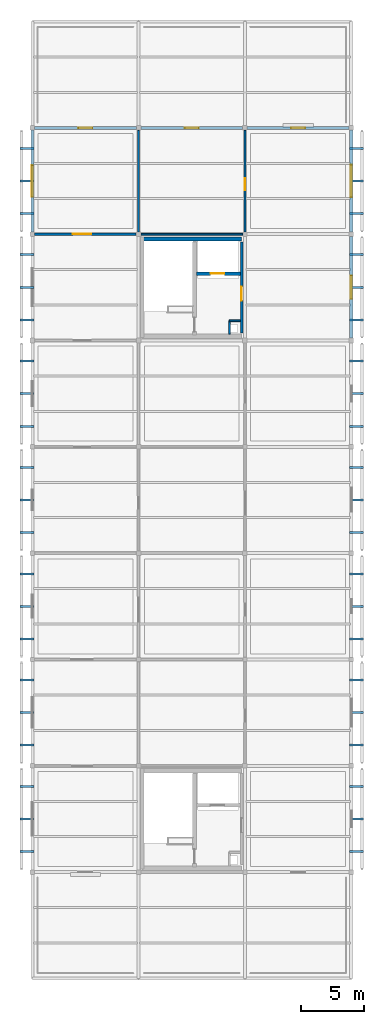
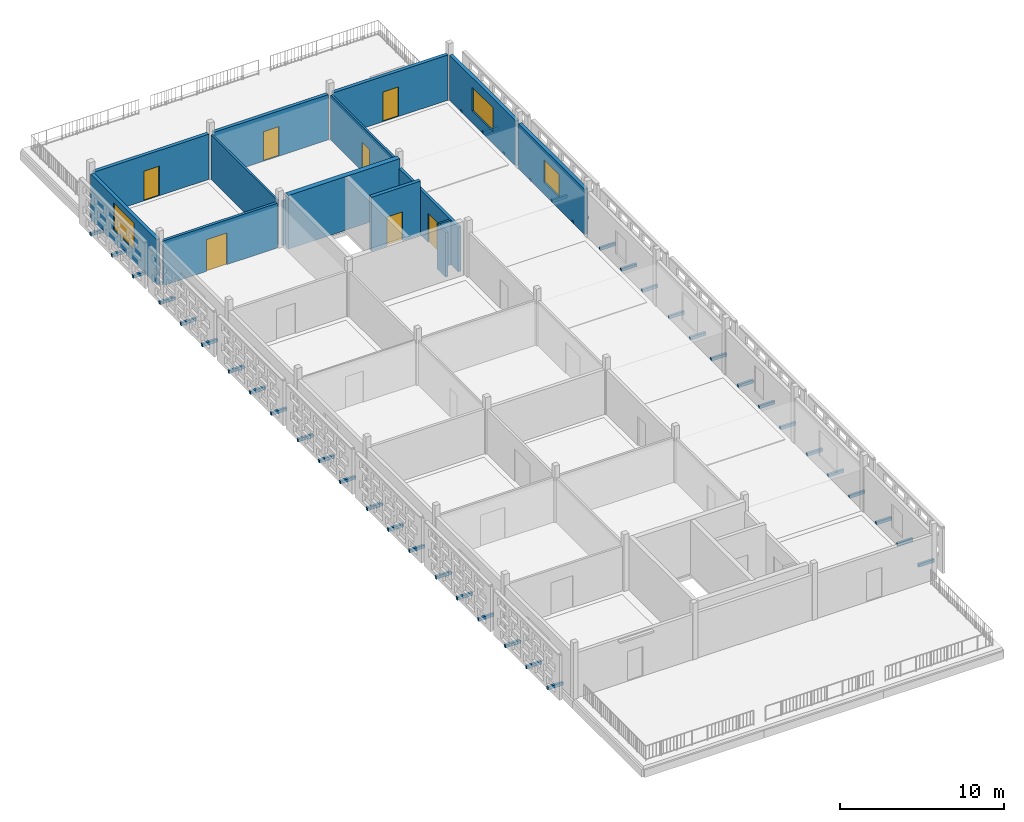
# One storey, part 4 of 13: 42 discrete accessories, 15 walls, 7 doors, 3 windows, 10 openings.
"""IFC4 building model written with IfcOpenShell, lengths in metres."""

from ifc_helpers import new_model, si_unit, direction, frame, frame_2d, origin, origin_2d, place, context, subcontext, project, spatial, rectangle, extrude, material, layer, layer_set, type_object, element, fill, save


model = new_model("IFC4")

# Units and contexts
model_context = context("Model", 3, precision=1e-05, world=origin(), true_north=direction((0.0, 1.0)))
body_context = subcontext(model_context, "Body", "Model", "MODEL_VIEW")
ifc_project = project(units=[si_unit("LENGTHUNIT", "METRE"), si_unit("AREAUNIT", "SQUARE_METRE"), si_unit("VOLUMEUNIT", "CUBIC_METRE"), si_unit("PLANEANGLEUNIT", "RADIAN"), si_unit("MASSUNIT", "GRAM", prefix="KILO")], contexts=[model_context])

# Site, building, storey
site_placement = place(None, origin())
site = spatial("IfcSite", under=ifc_project, at=site_placement, CompositionType="ELEMENT")
building_placement = place(site_placement, origin())
building = spatial("IfcBuilding", under=site, at=building_placement, Name="Varnapada Polytechnic", CompositionType="ELEMENT")
storey_placement = place(building_placement, frame((0.0, 0.0, 26.39990234375)))
storey = spatial("IfcBuildingStorey", under=building, at=storey_placement, Name="L06", CompositionType="ELEMENT", Elevation=26.39990234375)

# Wall, opening, door
ifc_material_1 = material(Name="Autoclaved Aerated Concrete Block AAC-600", Category="concrete")
ifc_layer_1 = layer(ifc_material_1, 0.199951171875)
ifc_layer_set_1 = layer_set([ifc_layer_1], Name="Autoclaved Aerated Concrete Block AAC-600")
wall_type_1 = type_object("IfcWallType", Name="Interior Wall IW-01", PredefinedType="PARTITIONING", material=ifc_layer_set_1)
wall_1_placement = place(storey_placement, frame((16.5400390625, 108.60009765625, 0.0), z_axis=(0.0, 0.0, 1.0), x_axis=(0.0, -1.0, 0.0)))
wall_1 = element("IfcWall", 1, at=wall_1_placement, inside=storey, type_object=wall_type_1, Name="L06 C1 firefighting lobby east wall", PredefinedType="PARTITIONING", context=body_context, shape_type="SweptSolid", body=[
    extrude(rectangle(XDim=7.2001953125, YDim=0.199951171875, at=frame_2d((3.60009765625, 0.0))), origin(), (0.0, 0.0, 1.0), 3.320068359375),
])
opening_1_placement = place(wall_1_placement, frame((3.550048828125, 0.0, 0.0)))
opening_1 = element("IfcOpeningElement", 2, at=opening_1_placement, cuts=wall_1, Name="Opening D-1334", PredefinedType="OPENING", context=body_context, shape_type="SweptSolid", body=[
    extrude(rectangle(XDim=1.10009765625, YDim=2.14990234375, at=frame_2d((0.550048828125, 1.074951171875))), frame((0.0, 0.10986328125, 0.0), z_axis=(0.0, -1.0, 0.0), x_axis=(1.0, 0.0, 0.0)), (0.0, 0.0, 1.0), 0.219970703125),
])
ifc_material_2 = material(Name="Galvanized Steel Z275", Category="steel")
door_type_1 = type_object("IfcDoorType", Name="Interior Door ID-01", OperationType="NOTDEFINED", PredefinedType="DOOR", material=ifc_material_2)
door_1_placement = place(opening_1_placement, frame((1.10009765625, 0.0, 0.0), z_axis=(0.0, 0.0, 1.0), x_axis=(-1.0, 0.0, 0.0)))
door_1 = element("IfcDoor", 3, at=door_1_placement, inside=storey, type_object=door_type_1, Name="L06 C1 lobby fire door D-1334", OperationType="SINGLE_SWING_RIGHT", OverallHeight=2.14990234375, OverallWidth=1.10009765625, PredefinedType="DOOR", context=body_context, shape_type="SweptSolid", body=[
    extrude(rectangle(XDim=1.10009765625, YDim=2.14990234375, at=frame_2d((0.550048828125, 1.074951171875))), frame((0.0, 0.02490234375, 0.0), z_axis=(0.0, -1.0, 0.0), x_axis=(1.0, 0.0, 0.0)), (0.0, 0.0, 1.0), 0.050048828125),
])
fill(opening_1, door_1)

# Walls
ifc_layer_2 = layer(ifc_material_1, 0.14990234375)
ifc_layer_set_2 = layer_set([ifc_layer_2], Name="Autoclaved Aerated Concrete Block AAC-600")
wall_type_2 = type_object("IfcWallType", Name="Interior Wall IW-02", PredefinedType="PARTITIONING", material=ifc_layer_set_2)
wall_2_placement = place(storey_placement, frame((15.580078125, 102.360107421875, 0.0), z_axis=(0.0, 0.0, 1.0), x_axis=(0.0, -1.0, 0.0)))
element("IfcWall", 4, at=wall_2_placement, inside=storey, type_object=wall_type_2, Name="L06 C1 riser shaft west wall", PredefinedType="PARTITIONING", context=body_context, shape_type="SweptSolid", body=[
    extrude(rectangle(XDim=1.06005859375, YDim=0.14990234375, at=frame_2d((0.530029296875, 0.0))), origin(), (0.0, 0.0, 1.0), 3.320068359375),
])
wall_3_placement = place(storey_placement, frame((15.580078125, 102.360107421875, 0.0), z_axis=(0.0, 0.0, 1.0), x_axis=(1.0, 0.0, 0.0)))
element("IfcWall", 5, at=wall_3_placement, inside=storey, type_object=wall_type_2, Name="L06 C1 riser shaft north wall", PredefinedType="PARTITIONING", context=body_context, shape_type="SweptSolid", body=[
    extrude(rectangle(XDim=0.85986328125, YDim=0.14990234375, at=frame_2d((0.429931640625, 0.0))), origin(), (0.0, 0.0, 1.0), 3.320068359375),
])
ifc_material_3 = material(Name="Moisture-Resistant Cement Board Partition")
ifc_layer_3 = layer(ifc_material_3, 0.139892578125)
ifc_layer_set_3 = layer_set([ifc_layer_3], Name="Moisture-Resistant Cement Board Partition")
wall_type_3 = type_object("IfcWallType", Name="Interior Wall IW-04", PredefinedType="PARTITIONING", material=ifc_layer_set_3)
wall_4_placement = place(storey_placement, frame((8.39990234375, 109.389892578125, 0.0), z_axis=(0.0, 0.0, 1.0), x_axis=(0.0, 1.0, 0.0)))
element("IfcWall", 6, at=wall_4_placement, inside=storey, type_object=wall_type_3, Name="L06 interior partition IW-L06-00-13-V", PredefinedType="PARTITIONING", context=body_context, shape_type="SweptSolid", body=[
    extrude(rectangle(XDim=8.010009765625, YDim=0.139892578125, at=frame_2d((4.0048828125, 0.0))), origin(), (0.0, 0.0, 1.0), 3.320068359375),
])
wall_5_placement = place(storey_placement, frame((8.590087890625, 109.199951171875, 0.0), z_axis=(0.0, 0.0, 1.0), x_axis=(1.0, 0.0, 0.0)))
element("IfcWall", 7, at=wall_5_placement, inside=storey, type_object=wall_type_3, Name="L06 interior partition IW-L06-01-12-H", PredefinedType="PARTITIONING", context=body_context, shape_type="SweptSolid", body=[
    extrude(rectangle(XDim=8.02001953125, YDim=0.139892578125, at=frame_2d((4.010009765625, 0.0))), origin(), (0.0, 0.0, 1.0), 3.320068359375),
])

# Wall, opening, door
wall_6_placement = place(storey_placement, frame((16.800048828125, 109.389892578125, 0.0), z_axis=(0.0, 0.0, 1.0), x_axis=(0.0, 1.0, 0.0)))
wall_6 = element("IfcWall", 8, at=wall_6_placement, inside=storey, type_object=wall_type_3, Name="L06 interior partition IW-L06-01-13-V", PredefinedType="PARTITIONING", context=body_context, shape_type="SweptSolid", body=[
    extrude(rectangle(XDim=8.010009765625, YDim=0.139892578125, at=frame_2d((4.0048828125, 0.0))), origin(), (0.0, 0.0, 1.0), 3.320068359375),
])
opening_2_placement = place(wall_6_placement, frame((3.27490234375, 0.0, 0.0)))
opening_2 = element("IfcOpeningElement", 9, at=opening_2_placement, cuts=wall_6, Name="Opening D-1347", PredefinedType="OPENING", context=body_context, shape_type="SweptSolid", body=[
    extrude(rectangle(XDim=0.949951171875, YDim=2.14990234375, at=frame_2d((0.47509765625, 1.074951171875))), frame((0.0, 0.079833984375, 0.0), z_axis=(0.0, -1.0, 0.0), x_axis=(1.0, 0.0, 0.0)), (0.0, 0.0, 1.0), 0.159912109375),
])
ifc_material_4 = material(Name="Moisture-Resistant HPL Timber", Category="wood")
door_type_2 = type_object("IfcDoorType", Name="Interior Door ID-03", OperationType="NOTDEFINED", PredefinedType="DOOR", material=ifc_material_4)
door_2_placement = place(opening_2_placement, origin())
door_2 = element("IfcDoor", 10, at=door_2_placement, inside=storey, type_object=door_type_2, Name="L06 interior room door D-1347", OperationType="SINGLE_SWING_RIGHT", OverallHeight=2.14990234375, OverallWidth=0.949951171875, PredefinedType="DOOR", context=body_context, shape_type="SweptSolid", body=[
    extrude(rectangle(XDim=0.949951171875, YDim=2.14990234375, at=frame_2d((0.47509765625, 1.074951171875))), frame((0.0, 0.02490234375, 0.0), z_axis=(0.0, -1.0, 0.0), x_axis=(1.0, 0.0, 0.0)), (0.0, 0.0, 1.0), 0.050048828125),
])
fill(opening_2, door_2)

ifc_material_5 = material(Name="Insulated Masonry Plant Room Wall", Category="masonry")
ifc_layer_4 = layer(ifc_material_5, 0.18994140625)
ifc_layer_set_4 = layer_set([ifc_layer_4], Name="Insulated Masonry Plant Room Wall")
wall_type_4 = type_object("IfcWallType", Name="Interior Wall IW-11", PredefinedType="PARTITIONING", material=ifc_layer_set_4)
wall_7_placement = place(storey_placement, frame((0.18994140625, 109.199951171875, 0.0), z_axis=(0.0, 0.0, 1.0), x_axis=(1.0, 0.0, 0.0)))
wall_7 = element("IfcWall", 11, at=wall_7_placement, inside=storey, type_object=wall_type_4, Name="L06 interior partition IW-L06-00-12-H", PredefinedType="PARTITIONING", context=body_context, shape_type="SweptSolid", body=[
    extrude(rectangle(XDim=8.02001953125, YDim=0.18994140625, at=frame_2d((4.010009765625, 0.0))), origin(), (0.0, 0.0, 1.0), 3.320068359375),
])
opening_3_placement = place(wall_7_placement, frame((3.02490234375, 0.0, 0.0)))
opening_3 = element("IfcOpeningElement", 12, at=opening_3_placement, cuts=wall_7, Name="Opening D-1342", PredefinedType="OPENING", context=body_context, shape_type="SweptSolid", body=[
    extrude(rectangle(XDim=1.449951171875, YDim=2.35009765625, at=frame_2d((0.72509765625, 1.175048828125))), frame((0.0, 0.10498046875, 0.0), z_axis=(0.0, -1.0, 0.0), x_axis=(1.0, 0.0, 0.0)), (0.0, 0.0, 1.0), 0.2099609375),
])
door_type_3 = type_object("IfcDoorType", Name="Interior Door ID-18", OperationType="NOTDEFINED", PredefinedType="DOOR", material=ifc_material_2)
door_3_placement = place(opening_3_placement, origin())
door_3 = element("IfcDoor", 13, at=door_3_placement, inside=storey, type_object=door_type_3, Name="L06 interior room door D-1342", OperationType="SINGLE_SWING_LEFT", OverallHeight=2.35009765625, OverallWidth=1.449951171875, PredefinedType="DOOR", context=body_context, shape_type="SweptSolid", body=[
    extrude(rectangle(XDim=1.449951171875, YDim=2.35009765625, at=frame_2d((0.72509765625, 1.175048828125))), frame((0.0, 0.02490234375, 0.0), z_axis=(0.0, -1.0, 0.0), x_axis=(1.0, 0.0, 0.0)), (0.0, 0.0, 1.0), 0.050048828125),
])
fill(opening_3, door_3)

# Wall
ifc_material_6 = material(Name="Concrete C40/50", Category="concrete")
ifc_layer_5 = layer(ifc_material_6, 0.35009765625)
ifc_layer_set_5 = layer_set([ifc_layer_5], Name="Concrete C40/50")
wall_type_5 = type_object("IfcWallType", Name="Interior Wall SW-01", PredefinedType="SHEAR", material=ifc_layer_set_5)
wall_8_placement = place(storey_placement, frame((8.699951171875, 108.820068359375, 0.0), z_axis=(0.0, 0.0, 1.0), x_axis=(1.0, 0.0, 0.0)))
element("IfcWall", 14, at=wall_8_placement, inside=storey, type_object=wall_type_5, Name="L06 C1 core north shear wall", PredefinedType="SHEAR", context=body_context, shape_type="SweptSolid", body=[
    extrude(rectangle(XDim=7.840087890625, YDim=0.35009765625, at=frame_2d((3.919921875, 0.0))), origin(), (0.0, 0.0, 1.0), 3.989990234375),
])

# Wall, opening, door
ifc_layer_6 = layer(ifc_material_6, 0.25)
ifc_layer_set_6 = layer_set([ifc_layer_6], Name="Concrete C40/50")
wall_type_6 = type_object("IfcWallType", Name="Interior Wall SW-05", PredefinedType="SHEAR", material=ifc_layer_set_6)
wall_9_placement = place(storey_placement, frame((12.97998046875, 106.080078125, 0.0), z_axis=(0.0, 0.0, 1.0), x_axis=(1.0, 0.0, 0.0)))
wall_9 = element("IfcWall", 15, at=wall_9_placement, inside=storey, type_object=wall_type_6, Name="L06 C1 lift shaft front wall", PredefinedType="SHEAR", context=body_context, shape_type="SweptSolid", body=[
    extrude(rectangle(XDim=3.4599609375, YDim=0.25, at=frame_2d((1.72998046875, 0.0))), origin(), (0.0, 0.0, 1.0), 3.989990234375),
])
opening_4_placement = place(wall_9_placement, frame((1.10009765625, 0.0, 0.0)))
opening_4 = element("IfcOpeningElement", 16, at=opening_4_placement, cuts=wall_9, Name="Opening LD-037", PredefinedType="OPENING", context=body_context, shape_type="SweptSolid", body=[
    extrude(rectangle(XDim=1.10009765625, YDim=2.14990234375, at=frame_2d((0.550048828125, 1.074951171875))), frame((0.0, 0.135009765625, 0.0), z_axis=(0.0, -1.0, 0.0), x_axis=(1.0, 0.0, 0.0)), (0.0, 0.0, 1.0), 0.27001953125),
])
ifc_material_7 = material(Name="Brushed Stainless Steel 316", Category="steel")
door_type_4 = type_object("IfcDoorType", Name="Interior Door LD-01", OperationType="NOTDEFINED", PredefinedType="DOOR", material=ifc_material_7)
door_4_placement = place(opening_4_placement, origin())
door_4 = element("IfcDoor", 17, at=door_4_placement, inside=storey, type_object=door_type_4, Name="L06 LFT-01 sliding lift landing door LD-037", OperationType="DOUBLE_DOOR_SLIDING", OverallHeight=2.14990234375, OverallWidth=1.10009765625, PredefinedType="DOOR", context=body_context, shape_type="SweptSolid", body=[
    extrude(rectangle(XDim=1.10009765625, YDim=2.14990234375, at=frame_2d((0.550048828125, 1.074951171875))), frame((0.0, 0.02490234375, 0.0), z_axis=(0.0, -1.0, 0.0), x_axis=(1.0, 0.0, 0.0)), (0.0, 0.0, 1.0), 0.050048828125),
])
fill(opening_4, door_4)

ifc_material_8 = material(Name="Precast concrete C40/50", Category="concrete")
ifc_layer_7 = layer(ifc_material_8, 0.239990234375)
ifc_layer_set_7 = layer_set([ifc_layer_7], Name="Precast concrete C40/50")
wall_type_7 = type_object("IfcWallType", Name="Wall EW-06", PredefinedType="SOLIDWALL", material=ifc_layer_set_7)
wall_10_placement = place(storey_placement, frame((0.179931640625, 117.60009765625, 0.0), z_axis=(0.0, 0.0, 1.0), x_axis=(1.0, 0.0, 0.0)))
wall_10 = element("IfcWall", 18, at=wall_10_placement, inside=storey, type_object=wall_type_7, Name="L06 exterior wall EW-06 (8)", PredefinedType="SOLIDWALL", context=body_context, shape_type="SweptSolid", body=[
    extrude(rectangle(XDim=8.0400390625, YDim=0.239990234375, at=frame_2d((4.02001953125, 0.0))), origin(), (0.0, 0.0, 1.0), 3.360107421875),
])
opening_5_placement = place(wall_10_placement, frame((3.469970703125, 0.0, 0.0)))
opening_5 = element("IfcOpeningElement", 19, at=opening_5_placement, cuts=wall_10, Name="Opening D-061", PredefinedType="OPENING", context=body_context, shape_type="SweptSolid", body=[
    extrude(rectangle(XDim=1.10009765625, YDim=2.199951171875, at=frame_2d((0.550048828125, 1.10009765625))), frame((0.0, 0.1298828125, 0.0), z_axis=(0.0, -1.0, 0.0), x_axis=(1.0, 0.0, 0.0)), (0.0, 0.0, 1.0), 0.260009765625),
])
ifc_material_9 = material(Name="Anodised aluminium and laminated glass", Category="aluminium")
door_type_5 = type_object("IfcDoorType", Name="Exterior Door ED-03", OperationType="NOTDEFINED", PredefinedType="DOOR", material=ifc_material_9)
door_5_placement = place(opening_5_placement, origin())
door_5 = element("IfcDoor", 20, at=door_5_placement, inside=storey, type_object=door_type_5, Name="L06 roof terrace access door D-061", OperationType="SINGLE_SWING_LEFT", OverallHeight=2.199951171875, OverallWidth=1.10009765625, PredefinedType="DOOR", context=body_context, shape_type="SweptSolid", body=[
    extrude(rectangle(XDim=1.10009765625, YDim=2.199951171875, at=frame_2d((0.550048828125, 1.10009765625))), frame((0.0, 0.02490234375, 0.0), z_axis=(0.0, -1.0, 0.0), x_axis=(1.0, 0.0, 0.0)), (0.0, 0.0, 1.0), 0.050048828125),
])
fill(opening_5, door_5)

# Wall, opening, window
wall_11_placement = place(storey_placement, frame((0.0, 109.3701171875, 0.0), z_axis=(0.0, 0.0, 1.0), x_axis=(0.0, 1.0, 0.0)))
wall_11 = element("IfcWall", 21, at=wall_11_placement, inside=storey, type_object=wall_type_7, Name="L06 exterior wall EW-06 (9)", PredefinedType="SOLIDWALL", context=body_context, shape_type="SweptSolid", body=[
    extrude(rectangle(XDim=8.0498046875, YDim=0.239990234375, at=frame_2d((4.02490234375, 0.0))), origin(), (0.0, 0.0, 1.0), 3.360107421875),
])
opening_6_placement = place(wall_11_placement, frame((2.77490234375, 0.0, 0.89990234375)))
opening_6 = element("IfcOpeningElement", 22, at=opening_6_placement, cuts=wall_11, Name="Opening WN-17", PredefinedType="OPENING", context=body_context, shape_type="SweptSolid", body=[
    extrude(rectangle(XDim=2.5, YDim=2.0, at=frame_2d((1.25, 1.0))), frame((0.0, 0.1298828125, 0.0), z_axis=(0.0, -1.0, 0.0), x_axis=(1.0, 0.0, 0.0)), (0.0, 0.0, 1.0), 0.260009765625),
])
ifc_material_10 = material(Name="Double low-E laminated glass", Category="glass")
window_type_1 = type_object("IfcWindowType", Name="Window WN-17", PartitioningType="SINGLE_PANEL", PredefinedType="WINDOW", material=ifc_material_10)
window_1_placement = place(opening_6_placement, origin())
window_1 = element("IfcWindow", 23, at=window_1_placement, inside=storey, type_object=window_type_1, Name="L06 window WN-17 (254)", OverallHeight=2.0, OverallWidth=2.5, PartitioningType="SINGLE_PANEL", PredefinedType="WINDOW", context=body_context, shape_type="SweptSolid", body=[
    extrude(rectangle(XDim=2.5, YDim=2.0, at=frame_2d((1.25, 1.0))), frame((0.0, 0.030029296875, 0.0), z_axis=(0.0, -1.0, 0.0), x_axis=(1.0, 0.0, 0.0)), (0.0, 0.0, 1.0), 0.06005859375),
])
fill(opening_6, window_1)

# Wall, opening, door
wall_12_placement = place(storey_placement, frame((8.580078125, 117.60009765625, 0.0), z_axis=(0.0, 0.0, 1.0), x_axis=(1.0, 0.0, 0.0)))
wall_12 = element("IfcWall", 24, at=wall_12_placement, inside=storey, type_object=wall_type_7, Name="L06 exterior wall EW-06 (11)", PredefinedType="SOLIDWALL", context=body_context, shape_type="SweptSolid", body=[
    extrude(rectangle(XDim=8.0400390625, YDim=0.239990234375, at=frame_2d((4.02001953125, 0.0))), origin(), (0.0, 0.0, 1.0), 3.360107421875),
])
opening_7_placement = place(wall_12_placement, frame((3.469970703125, 0.0, 0.0)))
opening_7 = element("IfcOpeningElement", 25, at=opening_7_placement, cuts=wall_12, Name="Opening D-062", PredefinedType="OPENING", context=body_context, shape_type="SweptSolid", body=[
    extrude(rectangle(XDim=1.10009765625, YDim=2.199951171875, at=frame_2d((0.550048828125, 1.10009765625))), frame((0.0, 0.1298828125, 0.0), z_axis=(0.0, -1.0, 0.0), x_axis=(1.0, 0.0, 0.0)), (0.0, 0.0, 1.0), 0.260009765625),
])
door_6_placement = place(opening_7_placement, origin())
door_6 = element("IfcDoor", 26, at=door_6_placement, inside=storey, type_object=door_type_5, Name="L06 roof terrace access door D-062", OperationType="SINGLE_SWING_RIGHT", OverallHeight=2.199951171875, OverallWidth=1.10009765625, PredefinedType="DOOR", context=body_context, shape_type="SweptSolid", body=[
    extrude(rectangle(XDim=1.10009765625, YDim=2.199951171875, at=frame_2d((0.550048828125, 1.10009765625))), frame((0.0, 0.02490234375, 0.0), z_axis=(0.0, -1.0, 0.0), x_axis=(1.0, 0.0, 0.0)), (0.0, 0.0, 1.0), 0.050048828125),
])
fill(opening_7, door_6)

# Wall, opening, window
wall_13_placement = place(storey_placement, frame((25.199951171875, 109.030029296875, 0.0), z_axis=(0.0, 0.0, 1.0), x_axis=(0.0, -1.0, 0.0)))
wall_13 = element("IfcWall", 27, at=wall_13_placement, inside=storey, type_object=wall_type_7, Name="L06 exterior wall EW-06 (18)", PredefinedType="SOLIDWALL", context=body_context, shape_type="SweptSolid", body=[
    extrude(rectangle(XDim=8.050048828125, YDim=0.239990234375, at=frame_2d((4.02490234375, 0.0))), origin(), (0.0, 0.0, 1.0), 3.360107421875),
])
opening_8_placement = place(wall_13_placement, frame((3.10009765625, 0.0, 0.89990234375)))
opening_8 = element("IfcOpeningElement", 28, at=opening_8_placement, cuts=wall_13, Name="Opening WN-24", PredefinedType="OPENING", context=body_context, shape_type="SweptSolid", body=[
    extrude(rectangle(XDim=1.85009765625, YDim=1.64990234375, at=frame_2d((0.925048828125, 0.824951171875))), frame((0.0, 0.1298828125, 0.0), z_axis=(0.0, -1.0, 0.0), x_axis=(1.0, 0.0, 0.0)), (0.0, 0.0, 1.0), 0.260009765625),
])
window_type_2 = type_object("IfcWindowType", Name="Window WN-24", PartitioningType="SINGLE_PANEL", PredefinedType="WINDOW", material=ifc_material_10)
window_2_placement = place(opening_8_placement, origin())
window_2 = element("IfcWindow", 29, at=window_2_placement, inside=storey, type_object=window_type_2, Name="L06 window WN-24 (260)", OverallHeight=1.64990234375, OverallWidth=1.85009765625, PartitioningType="SINGLE_PANEL", PredefinedType="WINDOW", context=body_context, shape_type="SweptSolid", body=[
    extrude(rectangle(XDim=1.85009765625, YDim=1.64990234375, at=frame_2d((0.925048828125, 0.824951171875))), frame((0.0, 0.030029296875, 0.0), z_axis=(0.0, -1.0, 0.0), x_axis=(1.0, 0.0, 0.0)), (0.0, 0.0, 1.0), 0.06005859375),
])
fill(opening_8, window_2)

# Wall, opening, door
wall_14_placement = place(storey_placement, frame((16.97998046875, 117.60009765625, 0.0), z_axis=(0.0, 0.0, 1.0), x_axis=(1.0, 0.0, 0.0)))
wall_14 = element("IfcWall", 30, at=wall_14_placement, inside=storey, type_object=wall_type_7, Name="L06 exterior wall EW-06 (19)", PredefinedType="SOLIDWALL", context=body_context, shape_type="SweptSolid", body=[
    extrude(rectangle(XDim=8.0400390625, YDim=0.239990234375, at=frame_2d((4.02001953125, 0.0))), origin(), (0.0, 0.0, 1.0), 3.360107421875),
])
opening_9_placement = place(wall_14_placement, frame((3.469970703125, 0.0, 0.0)))
opening_9 = element("IfcOpeningElement", 31, at=opening_9_placement, cuts=wall_14, Name="Opening D-064", PredefinedType="OPENING", context=body_context, shape_type="SweptSolid", body=[
    extrude(rectangle(XDim=1.10009765625, YDim=2.199951171875, at=frame_2d((0.550048828125, 1.10009765625))), frame((0.0, 0.1298828125, 0.0), z_axis=(0.0, -1.0, 0.0), x_axis=(1.0, 0.0, 0.0)), (0.0, 0.0, 1.0), 0.260009765625),
])
door_7_placement = place(opening_9_placement, origin())
door_7 = element("IfcDoor", 32, at=door_7_placement, inside=storey, type_object=door_type_5, Name="L06 roof terrace access door D-064", OperationType="SINGLE_SWING_RIGHT", OverallHeight=2.199951171875, OverallWidth=1.10009765625, PredefinedType="DOOR", context=body_context, shape_type="SweptSolid", body=[
    extrude(rectangle(XDim=1.10009765625, YDim=2.199951171875, at=frame_2d((0.550048828125, 1.10009765625))), frame((0.0, 0.02490234375, 0.0), z_axis=(0.0, -1.0, 0.0), x_axis=(1.0, 0.0, 0.0)), (0.0, 0.0, 1.0), 0.050048828125),
])
fill(opening_9, door_7)

# Wall, opening, window
wall_15_placement = place(storey_placement, frame((25.199951171875, 117.419921875, 0.0), z_axis=(0.0, 0.0, 1.0), x_axis=(0.0, -1.0, 0.0)))
wall_15 = element("IfcWall", 33, at=wall_15_placement, inside=storey, type_object=wall_type_7, Name="L06 exterior wall EW-06 (20)", PredefinedType="SOLIDWALL", context=body_context, shape_type="SweptSolid", body=[
    extrude(rectangle(XDim=8.0498046875, YDim=0.239990234375, at=frame_2d((4.02490234375, 0.0))), origin(), (0.0, 0.0, 1.0), 3.360107421875),
])
opening_10_placement = place(wall_15_placement, frame((2.75, 0.0, 0.89990234375)))
opening_10 = element("IfcOpeningElement", 34, at=opening_10_placement, cuts=wall_15, Name="Opening WN-27", PredefinedType="OPENING", context=body_context, shape_type="SweptSolid", body=[
    extrude(rectangle(XDim=2.550048828125, YDim=1.75, at=frame_2d((1.27490234375, 0.875))), frame((0.0, 0.1298828125, 0.0), z_axis=(0.0, -1.0, 0.0), x_axis=(1.0, 0.0, 0.0)), (0.0, 0.0, 1.0), 0.260009765625),
])
window_type_3 = type_object("IfcWindowType", Name="Window WN-27", PartitioningType="SINGLE_PANEL", PredefinedType="WINDOW", material=ifc_material_10)
window_3_placement = place(opening_10_placement, origin())
window_3 = element("IfcWindow", 35, at=window_3_placement, inside=storey, type_object=window_type_3, Name="L06 window WN-27 (261)", OverallHeight=1.75, OverallWidth=2.550048828125, PartitioningType="SINGLE_PANEL", PredefinedType="WINDOW", context=body_context, shape_type="SweptSolid", body=[
    extrude(rectangle(XDim=2.550048828125, YDim=1.75, at=frame_2d((1.27490234375, 0.875))), frame((0.0, 0.030029296875, 0.0), z_axis=(0.0, -1.0, 0.0), x_axis=(1.0, 0.0, 0.0)), (0.0, 0.0, 1.0), 0.06005859375),
])
fill(opening_10, window_3)

# Discrete accessories
ifc_material_11 = material(Name="Steel S355", Category="steel")
discrete_accessory_type = type_object("IfcDiscreteAccessoryType", Name="Screen Outrigger Bracket BRK-01", PredefinedType="BRACKET", material=ifc_material_11)
for number, where, z_axis, x_axis, name in (
    (36, (-0.425048828125, 60.4189453125, -0.0498046875), (0.0, 0.0, 1.0), (0.0, 1.0, 0.0), "L06 terracotta screen outrigger bracket 2.1"),
    (37, (-0.425048828125, 62.9951171875, -0.0498046875), (0.0, 0.0, 1.0), (0.0, 1.0, 0.0), "L06 terracotta screen outrigger bracket 2.2"),
    (38, (-0.425048828125, 65.571044921875, -0.0498046875), (0.0, 0.0, 1.0), (0.0, 1.0, 0.0), "L06 terracotta screen outrigger bracket 2.3"),
    (39, (-0.425048828125, 68.8291015625, -0.0498046875), (0.0, 0.0, 1.0), (0.0, 1.0, 0.0), "L06 terracotta screen outrigger bracket 3.1"),
    (40, (-0.425048828125, 71.405029296875, -0.0498046875), (0.0, 0.0, 1.0), (0.0, 1.0, 0.0), "L06 terracotta screen outrigger bracket 3.2"),
    (41, (-0.425048828125, 73.98095703125, -0.0498046875), (0.0, 0.0, 1.0), (0.0, 1.0, 0.0), "L06 terracotta screen outrigger bracket 3.3"),
    (42, (-0.425048828125, 77.218994140625, -0.0498046875), (0.0, 0.0, 1.0), (0.0, 1.0, 0.0), "L06 terracotta screen outrigger bracket 4.1"),
    (43, (-0.425048828125, 79.794921875, -0.0498046875), (0.0, 0.0, 1.0), (0.0, 1.0, 0.0), "L06 terracotta screen outrigger bracket 4.2"),
    (44, (-0.425048828125, 82.37109375, -0.0498046875), (0.0, 0.0, 1.0), (0.0, 1.0, 0.0), "L06 terracotta screen outrigger bracket 4.3"),
    (45, (-0.425048828125, 85.62890625, -0.0498046875), (0.0, 0.0, 1.0), (0.0, 1.0, 0.0), "L06 terracotta screen outrigger bracket 5.1"),
    (46, (-0.425048828125, 88.205078125, -0.0498046875), (0.0, 0.0, 1.0), (0.0, 1.0, 0.0), "L06 terracotta screen outrigger bracket 5.2"),
    (47, (-0.425048828125, 90.781005859375, -0.0498046875), (0.0, 0.0, 1.0), (0.0, 1.0, 0.0), "L06 terracotta screen outrigger bracket 5.3"),
    (48, (-0.425048828125, 94.01904296875, -0.0498046875), (0.0, 0.0, 1.0), (0.0, 1.0, 0.0), "L06 terracotta screen outrigger bracket 6.1"),
    (49, (-0.425048828125, 96.594970703125, -0.0498046875), (0.0, 0.0, 1.0), (0.0, 1.0, 0.0), "L06 terracotta screen outrigger bracket 6.2"),
    (50, (-0.425048828125, 99.1708984375, -0.0498046875), (0.0, 0.0, 1.0), (0.0, 1.0, 0.0), "L06 terracotta screen outrigger bracket 6.3"),
    (51, (-0.425048828125, 102.428955078125, -0.0498046875), (0.0, 0.0, 1.0), (0.0, 1.0, 0.0), "L06 terracotta screen outrigger bracket 7.1"),
    (52, (-0.425048828125, 105.0048828125, -0.0498046875), (0.0, 0.0, 1.0), (0.0, 1.0, 0.0), "L06 terracotta screen outrigger bracket 7.2"),
    (53, (-0.425048828125, 107.5810546875, -0.0498046875), (0.0, 0.0, 1.0), (0.0, 1.0, 0.0), "L06 terracotta screen outrigger bracket 7.3"),
    (54, (-0.425048828125, 110.819091796875, -0.0498046875), (0.0, 0.0, 1.0), (0.0, 1.0, 0.0), "L06 terracotta screen outrigger bracket 9.1"),
    (55, (-0.425048828125, 113.39501953125, -0.0498046875), (0.0, 0.0, 1.0), (0.0, 1.0, 0.0), "L06 terracotta screen outrigger bracket 9.2"),
    (56, (-0.425048828125, 115.970947265625, -0.0498046875), (0.0, 0.0, 1.0), (0.0, 1.0, 0.0), "L06 terracotta screen outrigger bracket 9.3"),
    (57, (25.625, 65.571044921875, -0.0498046875), (0.0, 0.0, 1.0), (0.0, -1.0, 0.0), "L06 terracotta screen outrigger bracket 13.1"),
    (58, (25.625, 62.9951171875, -0.0498046875), (0.0, 0.0, 1.0), (0.0, -1.0, 0.0), "L06 terracotta screen outrigger bracket 13.2"),
    (59, (25.625, 60.4189453125, -0.0498046875), (0.0, 0.0, 1.0), (0.0, -1.0, 0.0), "L06 terracotta screen outrigger bracket 13.3"),
    (60, (25.625, 73.98095703125, -0.0498046875), (0.0, 0.0, 1.0), (0.0, -1.0, 0.0), "L06 terracotta screen outrigger bracket 14.1"),
    (61, (25.625, 71.405029296875, -0.0498046875), (0.0, 0.0, 1.0), (0.0, -1.0, 0.0), "L06 terracotta screen outrigger bracket 14.2"),
    (62, (25.625, 68.8291015625, -0.0498046875), (0.0, 0.0, 1.0), (0.0, -1.0, 0.0), "L06 terracotta screen outrigger bracket 14.3"),
    (63, (25.625, 82.37109375, -0.0498046875), (0.0, 0.0, 1.0), (0.0, -1.0, 0.0), "L06 terracotta screen outrigger bracket 15.1"),
    (64, (25.625, 79.794921875, -0.0498046875), (0.0, 0.0, 1.0), (0.0, -1.0, 0.0), "L06 terracotta screen outrigger bracket 15.2"),
    (65, (25.625, 77.218994140625, -0.0498046875), (0.0, 0.0, 1.0), (0.0, -1.0, 0.0), "L06 terracotta screen outrigger bracket 15.3"),
    (66, (25.625, 90.781005859375, -0.0498046875), (0.0, 0.0, 1.0), (0.0, -1.0, 0.0), "L06 terracotta screen outrigger bracket 16.1"),
    (67, (25.625, 88.205078125, -0.0498046875), (0.0, 0.0, 1.0), (0.0, -1.0, 0.0), "L06 terracotta screen outrigger bracket 16.2"),
    (68, (25.625, 85.62890625, -0.0498046875), (0.0, 0.0, 1.0), (0.0, -1.0, 0.0), "L06 terracotta screen outrigger bracket 16.3"),
    (69, (25.625, 99.1708984375, -0.0498046875), (0.0, 0.0, 1.0), (0.0, -1.0, 0.0), "L06 terracotta screen outrigger bracket 17.1"),
    (70, (25.625, 96.594970703125, -0.0498046875), (0.0, 0.0, 1.0), (0.0, -1.0, 0.0), "L06 terracotta screen outrigger bracket 17.2"),
    (71, (25.625, 94.01904296875, -0.0498046875), (0.0, 0.0, 1.0), (0.0, -1.0, 0.0), "L06 terracotta screen outrigger bracket 17.3"),
    (72, (25.625, 107.5810546875, -0.0498046875), (0.0, 0.0, 1.0), (0.0, -1.0, 0.0), "L06 terracotta screen outrigger bracket 18.1"),
    (73, (25.625, 105.0048828125, -0.0498046875), (0.0, 0.0, 1.0), (0.0, -1.0, 0.0), "L06 terracotta screen outrigger bracket 18.2"),
    (74, (25.625, 102.428955078125, -0.0498046875), (0.0, 0.0, 1.0), (0.0, -1.0, 0.0), "L06 terracotta screen outrigger bracket 18.3"),
    (75, (25.625, 115.970947265625, -0.0498046875), (0.0, 0.0, 1.0), (0.0, -1.0, 0.0), "L06 terracotta screen outrigger bracket 20.1"),
    (76, (25.625, 113.39501953125, -0.0498046875), (0.0, 0.0, 1.0), (0.0, -1.0, 0.0), "L06 terracotta screen outrigger bracket 20.2"),
    (77, (25.625, 110.819091796875, -0.0498046875), (0.0, 0.0, 1.0), (0.0, -1.0, 0.0), "L06 terracotta screen outrigger bracket 20.3"),
):
    element("IfcDiscreteAccessory", number, at=place(storey_placement, frame(where, z_axis=z_axis, x_axis=x_axis)), inside=storey, type_object=discrete_accessory_type, Name=name, PredefinedType="BRACKET", context=body_context, shape_type="SweptSolid", body=[
        extrude(rectangle(XDim=0.159912109375, YDim=1.090087890625, at=origin_2d()), origin(), (0.0, 0.0, 1.0), 0.219970703125),
    ])

save(model, "model.ifc")
